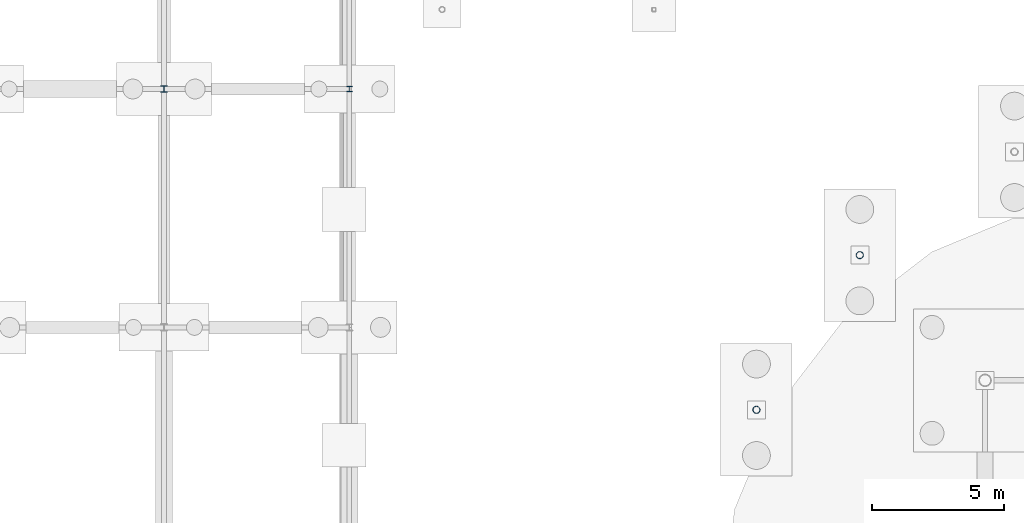
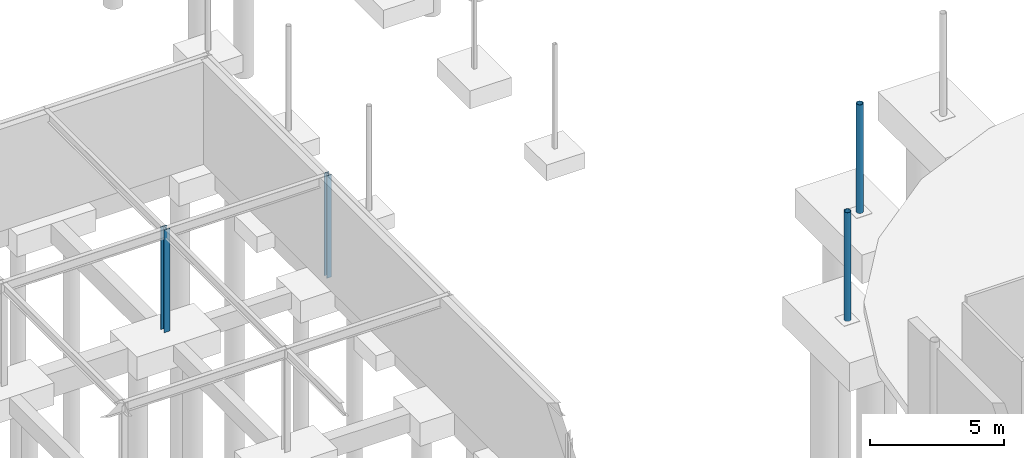
# One storey, part 17 of 75: 4 columns.
"""IFC4 building model written with IfcOpenShell, lengths in metres."""

from ifc_helpers import new_model, si_unit, derived_unit, direction, frame, origin, origin_2d_with_axis, place, context, subcontext, project, spatial, hollow_circle, i_section, extrude, material, material_profile, profile_set, type_object, element, save


model = new_model("IFC4")

# Units and contexts
model_context = context("Model", 3, precision=1e-05, world=origin(), true_north=direction((0.0, 1.0)))
body_context = subcontext(model_context, "Body", "Model", "MODEL_VIEW")
ifc_project = project(units=[si_unit("LENGTHUNIT", "METRE"), si_unit("AREAUNIT", "SQUARE_METRE"), si_unit("VOLUMEUNIT", "CUBIC_METRE"), si_unit("PLANEANGLEUNIT", "RADIAN"), si_unit("MASSUNIT", "GRAM", prefix="KILO"), derived_unit("THERMALTRANSMITTANCEUNIT", [(si_unit("POWERUNIT", "WATT"), 1), (si_unit("LENGTHUNIT", "METRE"), -2), (si_unit("THERMODYNAMICTEMPERATUREUNIT", "KELVIN"), -1)])], contexts=[model_context])

# Site, building, storey
site_placement = place(None, origin())
site = spatial("IfcSite", under=ifc_project, at=site_placement, CompositionType="ELEMENT")
building_placement = place(site_placement, origin())
building = spatial("IfcBuilding", under=site, at=building_placement, Name="Cinnabar Yard Market Hall", CompositionType="ELEMENT")
storey_placement = place(building_placement, frame((0.0, 0.0, -4.5)))
storey = spatial("IfcBuildingStorey", under=building, at=storey_placement, Name="B1", CompositionType="ELEMENT", Elevation=-4.5)

# Columns
ifc_material_1 = material(Name="Spotted-gum glulam-clad steel Grade 350 (350 MPa)", Category="steel")
ifc_material_profile_1 = material_profile(ifc_material_1, hollow_circle(Radius=0.136474609375, WallThickness=0.00927734375, at=origin_2d_with_axis()), Name="273.1x9.3CHS")
ifc_profile_set_1 = profile_set([ifc_material_profile_1], Name="Spotted-gum glulam-clad steel Grade 350 (350 MPa)")
column_type_1 = type_object("IfcColumnType", Name="COL-C04", PredefinedType="COLUMN", material=ifc_profile_set_1)
for number, where, z_axis, x_axis, name in (
    (1, (71.272216796875, 68.727783203125, -0.449951171875), (0.0, 0.0, 1.0), (1.0, 0.0, 0.0), "Tree Column V1C-NW4 B1"),
    (2, (67.3701171875, 62.88818359375, -0.449951171875), (0.0, 0.0, 1.0), (1.0, 0.0, 0.0), "Tree Column V1C-NW6 B1"),
):
    element("IfcColumn", number, at=place(storey_placement, frame(where, z_axis=z_axis, x_axis=x_axis)), inside=storey, type_object=column_type_1, Name=name, PredefinedType="COLUMN", context=body_context, shape_type="SweptSolid", body=[
        extrude(hollow_circle(Radius=0.136474609375, WallThickness=0.00927734375, at=origin_2d_with_axis()), origin(), (0.0, 0.0, 1.0), 4.949951171875),
    ])
ifc_material_2 = material(Name="Steel Grade 300 (300 MPa)", Category="steel")
ifc_material_profile_2 = material_profile(ifc_material_2, i_section(OverallWidth=0.256103515625, OverallDepth=0.260009765625, WebThickness=0.010498046875, FlangeThickness=0.017333984375, FilletRadius=0.013916015625, at=origin_2d_with_axis()), Name="250UC89.5")
ifc_profile_set_2 = profile_set([ifc_material_profile_2], Name="Steel Grade 300 (300 MPa)")
column_type_2 = type_object("IfcColumnType", Name="COL-C10", PredefinedType="COLUMN", material=ifc_profile_set_2)
column_1_placement = place(storey_placement, frame((45.0, 75.0, -0.449951171875), z_axis=(0.0, 0.0, 1.0), x_axis=(1.0, 0.0, 0.0)))
element("IfcColumn", 3, at=column_1_placement, inside=storey, type_object=column_type_2, Name="Pavilion Pier V2-06-04 B1", PredefinedType="COLUMN", context=body_context, shape_type="SweptSolid", body=[
    extrude(i_section(OverallWidth=0.256103515625, OverallDepth=0.260009765625, WebThickness=0.010498046875, FlangeThickness=0.017333984375, FilletRadius=0.013916015625, at=origin_2d_with_axis()), origin(), (0.0, 0.0, 1.0), 4.669921875),
])
ifc_material_profile_3 = material_profile(ifc_material_2, i_section(OverallWidth=0.205078125, OverallDepth=0.209716796875, WebThickness=0.00927734375, FlangeThickness=0.01416015625, FilletRadius=0.011474609375, at=origin_2d_with_axis()), Name="200UC59.5")
ifc_profile_set_3 = profile_set([ifc_material_profile_3], Name="Steel Grade 300 (300 MPa)")
column_type_3 = type_object("IfcColumnType", Name="COL-C12", PredefinedType="COLUMN", material=ifc_profile_set_3)
column_2_placement = place(storey_placement, frame((52.0, 75.0, -0.449951171875), z_axis=(0.0, 0.0, 1.0), x_axis=(1.0, 0.0, 0.0)))
element("IfcColumn", 4, at=column_2_placement, inside=storey, type_object=column_type_3, Name="Pavilion Pier V2-07-04 B1", PredefinedType="COLUMN", context=body_context, shape_type="SweptSolid", body=[
    extrude(i_section(OverallWidth=0.205078125, OverallDepth=0.209716796875, WebThickness=0.00927734375, FlangeThickness=0.01416015625, FilletRadius=0.011474609375, at=origin_2d_with_axis()), origin(), (0.0, 0.0, 1.0), 4.669921875),
])

save(model, "model.ifc")
